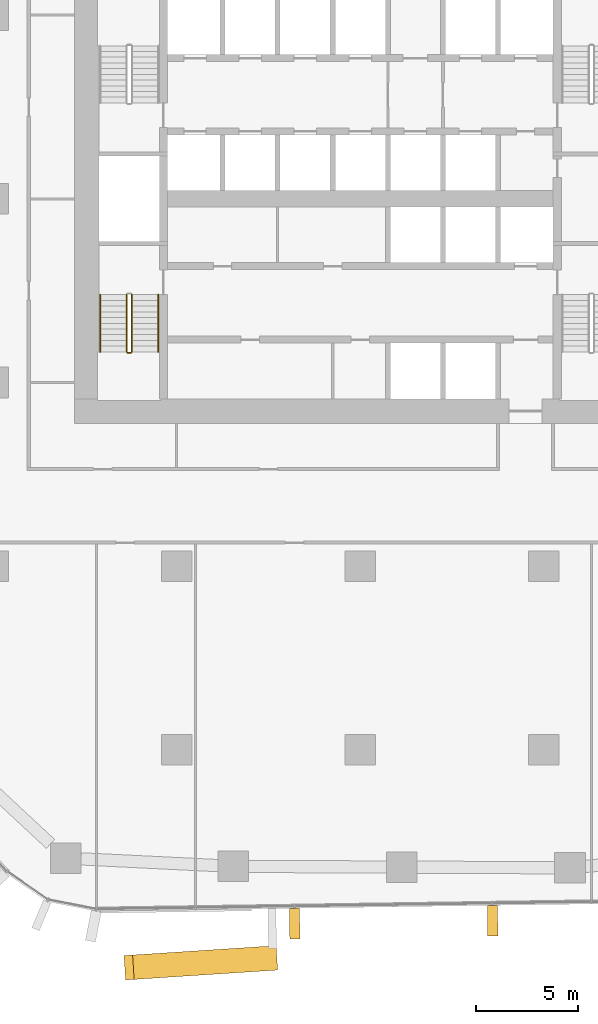
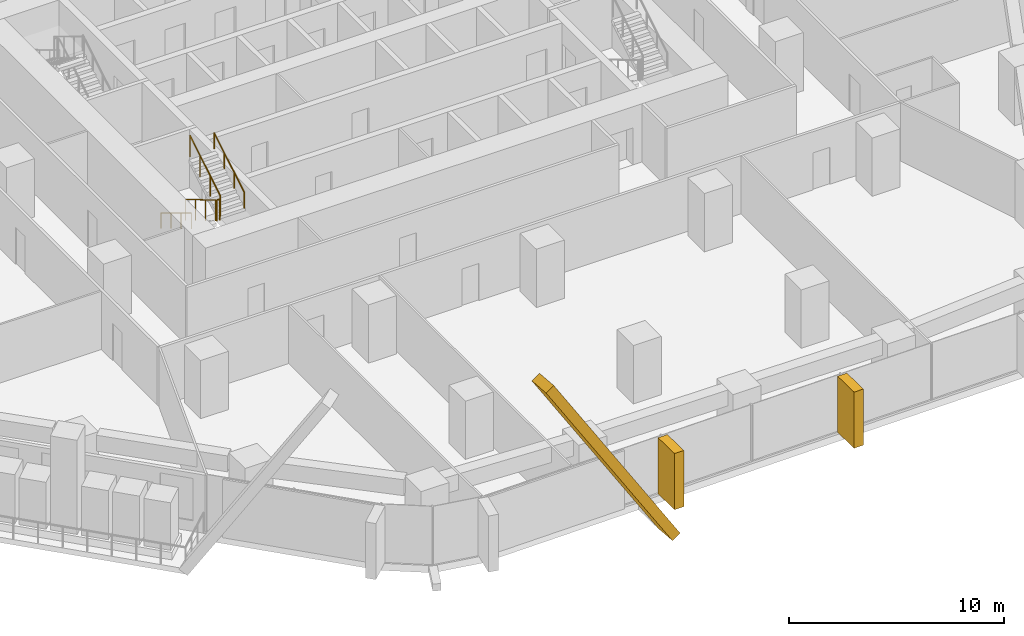
# One storey, part 20 of 24: 5 railings, 3 coverings, 1 element without a shape of its own.
"""IFC4 building model written with IfcOpenShell, lengths in metres."""

from ifc_helpers import new_model, si_unit, direction, frame, origin, origin_2d, place, context, subcontext, project, spatial, rectangle, circle, extrude, material, layer, layer_set, material_profile, profile_set, type_object, element, aggregate, save


model = new_model("IFC4")

# Units and contexts
model_context = context("Model", 3, precision=1e-05, world=origin(), true_north=direction((0.0, 1.0)))
body_context = subcontext(model_context, "Body", "Model", "MODEL_VIEW")
ifc_project = project(units=[si_unit("LENGTHUNIT", "METRE"), si_unit("AREAUNIT", "SQUARE_METRE"), si_unit("VOLUMEUNIT", "CUBIC_METRE"), si_unit("PLANEANGLEUNIT", "RADIAN"), si_unit("MASSUNIT", "GRAM", prefix="KILO")], contexts=[model_context])

# Site, building, storey
site_placement = place(None, origin())
site = spatial("IfcSite", under=ifc_project, at=site_placement, CompositionType="ELEMENT")
building_placement = place(site_placement, origin())
building = spatial("IfcBuilding", under=site, at=building_placement, Name="Dongbaek Canopy Tower", CompositionType="ELEMENT")
storey_placement = place(building_placement, frame((0.0, 0.0, 51.39990234375)))
storey = spatial("IfcBuildingStorey", under=building, at=storey_placement, Name="L08", CompositionType="ELEMENT", Elevation=51.39990234375)

# Curtain wall, coverings
ifc_material_1 = material(Name="Aluminium 6063-T6 pale anodised", Category="aluminium")
ifc_layer = layer(ifc_material_1, 0.199951171875)
ifc_layer_set = layer_set([ifc_layer], Name="CW-1 unitised tower curtain wall")
curtain_wall_type = type_object("IfcCurtainWallType", Name="CW-1 unitised tower curtain wall", PredefinedType="NOTDEFINED", material=ifc_layer_set)
curtain_wall_placement = place(storey_placement, origin())
curtain_wall = element("IfcCurtainWall", 1, at=curtain_wall_placement, inside=storey, type_object=curtain_wall_type, Name="CW-1 curtain wall F4.1", PredefinedType="NOTDEFINED")
ifc_material_2 = material(Name="Aluminium 6063-T6 pale metal fin", Category="aluminium")
ifc_material_profile_1 = material_profile(ifc_material_2, rectangle(XDim=1.199951171875, YDim=0.5, at=origin_2d()), Name="Crease fin CF1 500 x 1200 pale metal")
ifc_profile_set_1 = profile_set([ifc_material_profile_1], Name="Aluminium 6063-T6 pale metal fin")
covering_type_1 = type_object("IfcCoveringType", Name="Crease fin CF1 500 x 1200 pale metal", PredefinedType="CLADDING", material=ifc_profile_set_1)
covering_1_placement = place(storey_placement, frame((-4.2978515625, -37.21533203125, -0.199951171875), z_axis=(-0.534936608285, -0.034887573738, 0.844171595303), x_axis=(0.0650798871, -0.997880057069, 0.0)))
covering_1 = element("IfcCovering", 2, at=covering_1_placement, type_object=covering_type_1, Name="Crease fin L08 L11 F4", PredefinedType="CLADDING", context=body_context, shape_type="SweptSolid", body=[
    extrude(rectangle(XDim=1.199951171875, YDim=0.5, at=origin_2d()), origin(), (0.0, 0.0, 1.0), 13.149169921875),
])
ifc_material_3 = material(Name="Aluminium 6063-T6 pale metal fin", Category="aluminium")
ifc_material_profile_2 = material_profile(ifc_material_3, rectangle(XDim=1.5, YDim=0.5, at=origin_2d()), Name="Fin FN1 500 x 1500 pale metal")
ifc_profile_set_2 = profile_set([ifc_material_profile_2], Name="Aluminium 6063-T6 pale metal fin")
covering_type_2 = type_object("IfcCoveringType", Name="Fin FN1 500 x 1500 pale metal", PredefinedType="CLADDING", material=ifc_profile_set_2)
covering_2_placement = place(storey_placement, frame((-3.216796875, -35.52099609375, 0.1201171875), z_axis=(0.0, 0.0, 1.0), x_axis=(0.014618811778, -0.999893139462, 0.0)))
covering_2 = element("IfcCovering", 3, at=covering_2_placement, type_object=covering_type_2, Name="Fin F4.1.3", PredefinedType="CLADDING", context=body_context, shape_type="SweptSolid", body=[
    extrude(rectangle(XDim=1.5, YDim=0.5, at=origin_2d()), origin(), (0.0, 0.0, 1.0), 3.179931640625),
])
covering_3_placement = place(storey_placement, frame((6.48583984375, -35.379150390625, 0.1201171875), z_axis=(0.0, 0.0, 1.0), x_axis=(0.014618811778, -0.999893139462, 0.0)))
covering_3 = element("IfcCovering", 4, at=covering_3_placement, type_object=covering_type_2, Name="Fin F4.1.5", PredefinedType="CLADDING", context=body_context, shape_type="SweptSolid", body=[
    extrude(rectangle(XDim=1.5, YDim=0.5, at=origin_2d()), origin(), (0.0, 0.0, 1.0), 3.179931640625),
])
aggregate(curtain_wall, [covering_2, covering_3, covering_1])

# Railings
ifc_material_4 = material(Name="Stainless steel tube and balusters", Category="steel")
railing_type_1 = type_object("IfcRailingType", Name="Stair guard 1200", PredefinedType="GUARDRAIL", material=ifc_material_4)
railing_1_placement = place(storey_placement, frame((-11.449951171875, -4.699951171875, 0.168212890625)))
element("IfcRailing", 5, at=railing_1_placement, inside=storey, type_object=railing_type_1, Name="L08 ST-D stair guard 1", PredefinedType="GUARDRAIL", context=body_context, shape_type="SweptSolid", body=[
    extrude(circle(Radius=0.02392578125, at=origin_2d()), frame((0.0, 0.0, 1.17578125), z_axis=(0.0, -0.857242210791, 0.514913383045), x_axis=(1.0, 0.0, 0.0)), (0.0, 0.0, 1.0), 3.266357421875),
    extrude(circle(Radius=0.02099609375, at=origin_2d()), origin(), (0.0, 0.0, 1.0), 1.15185546875),
    extrude(circle(Radius=0.02099609375, at=origin_2d()), frame((0.0, -0.933349609375, 0.560546875)), (0.0, 0.0, 1.0), 1.15185546875),
    extrude(circle(Radius=0.02099609375, at=origin_2d()), frame((0.0, -1.86669921875, 1.121337890625)), (0.0, 0.0, 1.0), 1.15185546875),
    extrude(circle(Radius=0.02099609375, at=origin_2d()), frame((0.0, -2.800048828125, 1.681884765625)), (0.0, 0.0, 1.0), 1.15185546875),
])
railing_2_placement = place(storey_placement, frame((-11.39990234375, -7.550048828125, 1.85009765625)))
element("IfcRailing", 6, at=railing_2_placement, inside=storey, type_object=railing_type_1, Name="L08 ST-D stair guard 2", PredefinedType="GUARDRAIL", context=body_context, shape_type="SweptSolid", body=[
    extrude(circle(Radius=0.02392578125, at=origin_2d()), frame((0.0, 0.0, 1.17578125), z_axis=(1.0, 0.0, 0.0), x_axis=(0.0, 1.0, 0.0)), (0.0, 0.0, 1.0), 0.14990234375),
    extrude(circle(Radius=0.02099609375, at=origin_2d()), origin(), (0.0, 0.0, 1.0), 1.15185546875),
    extrude(circle(Radius=0.02099609375, at=origin_2d()), frame((0.14990234375, 0.0, 0.0)), (0.0, 0.0, 1.0), 1.15185546875),
])
railing_3_placement = place(storey_placement, frame((-11.199951171875, -7.5, 2.018310546875)))
element("IfcRailing", 7, at=railing_3_placement, inside=storey, type_object=railing_type_1, Name="L08 ST-D stair guard 3", PredefinedType="GUARDRAIL", context=body_context, shape_type="SweptSolid", body=[
    extrude(circle(Radius=0.02392578125, at=origin_2d()), frame((0.0, 0.0, 1.17578125), z_axis=(0.0, 0.857242210791, 0.514913383045), x_axis=(-1.0, 0.0, 0.0)), (0.0, 0.0, 1.0), 3.266357421875),
    extrude(circle(Radius=0.02099609375, at=origin_2d()), origin(), (0.0, 0.0, 1.0), 1.15185546875),
    extrude(circle(Radius=0.02099609375, at=origin_2d()), frame((0.0, 0.933349609375, 0.560546875)), (0.0, 0.0, 1.0), 1.15185546875),
    extrude(circle(Radius=0.02099609375, at=origin_2d()), frame((0.0, 1.86669921875, 1.121337890625)), (0.0, 0.0, 1.0), 1.15185546875),
    extrude(circle(Radius=0.02099609375, at=origin_2d()), frame((0.0, 2.800048828125, 1.681884765625)), (0.0, 0.0, 1.0), 1.15185546875),
])
ifc_material_5 = material(Name="Stainless steel tube", Category="steel")
railing_type_2 = type_object("IfcRailingType", Name="Stair handrail 900", PredefinedType="HANDRAIL", material=ifc_material_5)
railing_4_placement = place(storey_placement, frame((-12.75, -4.699951171875, 0.168212890625)))
element("IfcRailing", 8, at=railing_4_placement, inside=storey, type_object=railing_type_2, Name="L08 ST-D stair handrail 1", PredefinedType="HANDRAIL", context=body_context, shape_type="SweptSolid", body=[
    extrude(circle(Radius=0.02392578125, at=origin_2d()), frame((0.0, 0.0, 0.8759765625), z_axis=(0.0, -0.857242210791, 0.514913383045), x_axis=(1.0, 0.0, 0.0)), (0.0, 0.0, 1.0), 3.266357421875),
    extrude(circle(Radius=0.02099609375, at=origin_2d()), origin(), (0.0, 0.0, 1.0), 0.851806640625),
    extrude(circle(Radius=0.02099609375, at=origin_2d()), frame((0.0, -0.933349609375, 0.560546875)), (0.0, 0.0, 1.0), 0.851806640625),
    extrude(circle(Radius=0.02099609375, at=origin_2d()), frame((0.0, -1.86669921875, 1.121337890625)), (0.0, 0.0, 1.0), 0.851806640625),
    extrude(circle(Radius=0.02099609375, at=origin_2d()), frame((0.0, -2.800048828125, 1.681884765625)), (0.0, 0.0, 1.0), 0.851806640625),
])
railing_5_placement = place(storey_placement, frame((-9.89990234375, -7.5, 2.018310546875)))
element("IfcRailing", 9, at=railing_5_placement, inside=storey, type_object=railing_type_2, Name="L08 ST-D stair handrail 2", PredefinedType="HANDRAIL", context=body_context, shape_type="SweptSolid", body=[
    extrude(circle(Radius=0.02392578125, at=origin_2d()), frame((0.0, 0.0, 0.8759765625), z_axis=(0.0, 0.857242210791, 0.514913383045), x_axis=(-1.0, 0.0, 0.0)), (0.0, 0.0, 1.0), 3.266357421875),
    extrude(circle(Radius=0.02099609375, at=origin_2d()), origin(), (0.0, 0.0, 1.0), 0.851806640625),
    extrude(circle(Radius=0.02099609375, at=origin_2d()), frame((0.0, 0.933349609375, 0.560546875)), (0.0, 0.0, 1.0), 0.851806640625),
    extrude(circle(Radius=0.02099609375, at=origin_2d()), frame((0.0, 1.86669921875, 1.121337890625)), (0.0, 0.0, 1.0), 0.851806640625),
    extrude(circle(Radius=0.02099609375, at=origin_2d()), frame((0.0, 2.800048828125, 1.681884765625)), (0.0, 0.0, 1.0), 0.851806640625),
])

save(model, "model.ifc")
